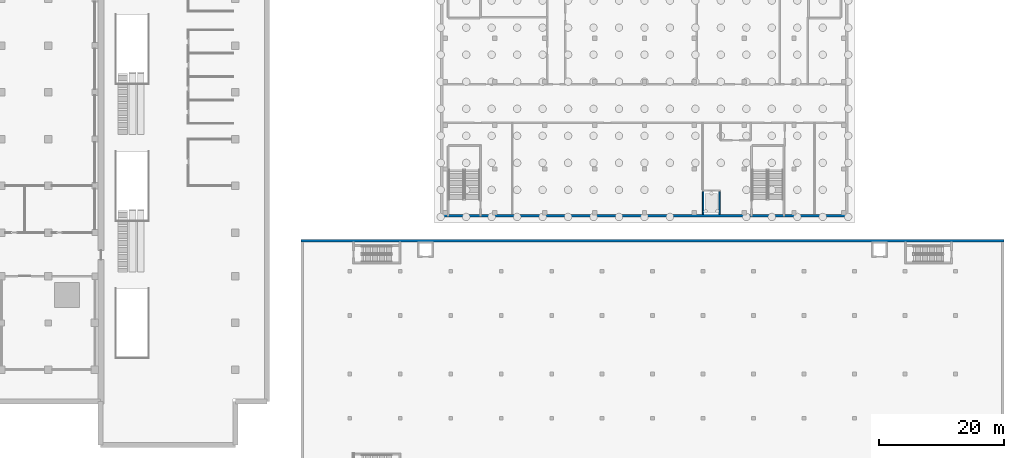
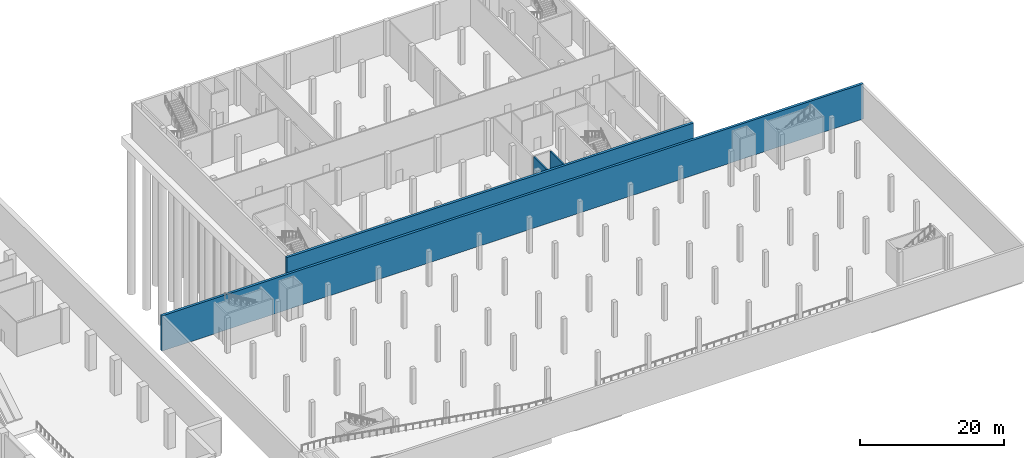
# One storey, part 16 of 45: 4 walls.
"""IFC4 building model written with IfcOpenShell, lengths in metres."""

from ifc_helpers import new_model, si_unit, direction, frame, frame_2d, origin, place, context, subcontext, project, spatial, rectangle, extrude, material, layer, layer_set, type_object, element, save


model = new_model("IFC4")

# Units and contexts
model_context = context("Model", 3, precision=1e-05, world=origin(), true_north=direction((0.0, 1.0)))
body_context = subcontext(model_context, "Body", "Model", "MODEL_VIEW")
ifc_project = project(units=[si_unit("LENGTHUNIT", "METRE"), si_unit("AREAUNIT", "SQUARE_METRE"), si_unit("VOLUMEUNIT", "CUBIC_METRE"), si_unit("PLANEANGLEUNIT", "RADIAN"), si_unit("MASSUNIT", "GRAM", prefix="KILO")], contexts=[model_context])

# Site, building, storey
site_placement = place(None, origin())
site = spatial("IfcSite", under=ifc_project, at=site_placement, CompositionType="ELEMENT")
building_placement = place(site_placement, origin())
building = spatial("IfcBuilding", under=site, at=building_placement, Name="Tamorin Gate", CompositionType="ELEMENT")
storey_placement = place(building_placement, frame((0.0, 0.0, -6.0)))
storey = spatial("IfcBuildingStorey", under=building, at=storey_placement, Name="B1", CompositionType="ELEMENT", Elevation=-6.0)

# Walls
ifc_material = material(Name="Concrete C40/50", Category="concrete")
ifc_layer_1 = layer(ifc_material, 0.39990234375)
ifc_layer_set_1 = layer_set([ifc_layer_1], Name="Car park retaining wall 400 C40/50")
wall_type_1 = type_object("IfcWallType", Name="Car park retaining wall 400 C40/50", PredefinedType="SHEAR", material=ifc_layer_set_1)
wall_1_placement = place(storey_placement, frame((122.60009765625, 51.199951171875, 0.0), z_axis=(0.0, 0.0, 1.0), x_axis=(1.0, 0.0, 0.0)))
element("IfcWall", 1, at=wall_1_placement, inside=storey, type_object=wall_type_1, Name="Retaining wall B1", PredefinedType="SHEAR", context=body_context, shape_type="SweptSolid", body=[
    extrude(rectangle(XDim=112.7998046875, YDim=0.39990234375, at=frame_2d((56.39990234375, 0.0))), origin(), (0.0, 0.0, 1.0), 6.0),
])
ifc_layer_2 = layer(ifc_material, 0.39990234375)
ifc_layer_set_2 = layer_set([ifc_layer_2], Name="Museum basement retaining wall 400 C40/50")
wall_type_2 = type_object("IfcWallType", Name="Museum basement retaining wall 400 C40/50", PredefinedType="SHEAR", material=ifc_layer_set_2)
wall_2_placement = place(storey_placement, frame((145.0, 55.199951171875, -0.300048828125), z_axis=(0.0, 0.0, 1.0), x_axis=(1.0, 0.0, 0.0)))
element("IfcWall", 2, at=wall_2_placement, inside=storey, type_object=wall_type_2, Name="Museum basement wall", PredefinedType="SHEAR", context=body_context, shape_type="SweptSolid", body=[
    extrude(rectangle(XDim=65.39990234375, YDim=0.39990234375, at=frame_2d((32.699951171875, 0.0))), origin(), (0.0, 0.0, 1.0), 5.949951171875),
])
ifc_layer_3 = layer(ifc_material, 0.25)
ifc_layer_set_3 = layer_set([ifc_layer_3], Name="Museum stair and lift enclosure wall 250 C40/50")
wall_type_3 = type_object("IfcWallType", Name="Museum stair and lift enclosure wall 250 C40/50", PredefinedType="SHEAR", material=ifc_layer_set_3)
for number, where, z_axis, x_axis, name in (
    (3, (187.125, 55.39990234375, -1.199951171875), (0.0, 0.0, 1.0), (0.0, 1.0, 0.0), "Lift shaft LM2"),
    (4, (189.77490234375, 55.39990234375, -1.199951171875), (0.0, 0.0, 1.0), (0.0, 1.0, 0.0), "Lift shaft LM2"),
):
    element("IfcWall", number, at=place(storey_placement, frame(where, z_axis=z_axis, x_axis=x_axis)), inside=storey, type_object=wall_type_3, Name=name, PredefinedType="SHEAR", context=body_context, shape_type="SweptSolid", body=[
        extrude(rectangle(XDim=3.650146484375, YDim=0.25, at=frame_2d((1.8251953125, 0.0))), origin(), (0.0, 0.0, 1.0), 6.849853515625),
    ])

save(model, "model.ifc")
